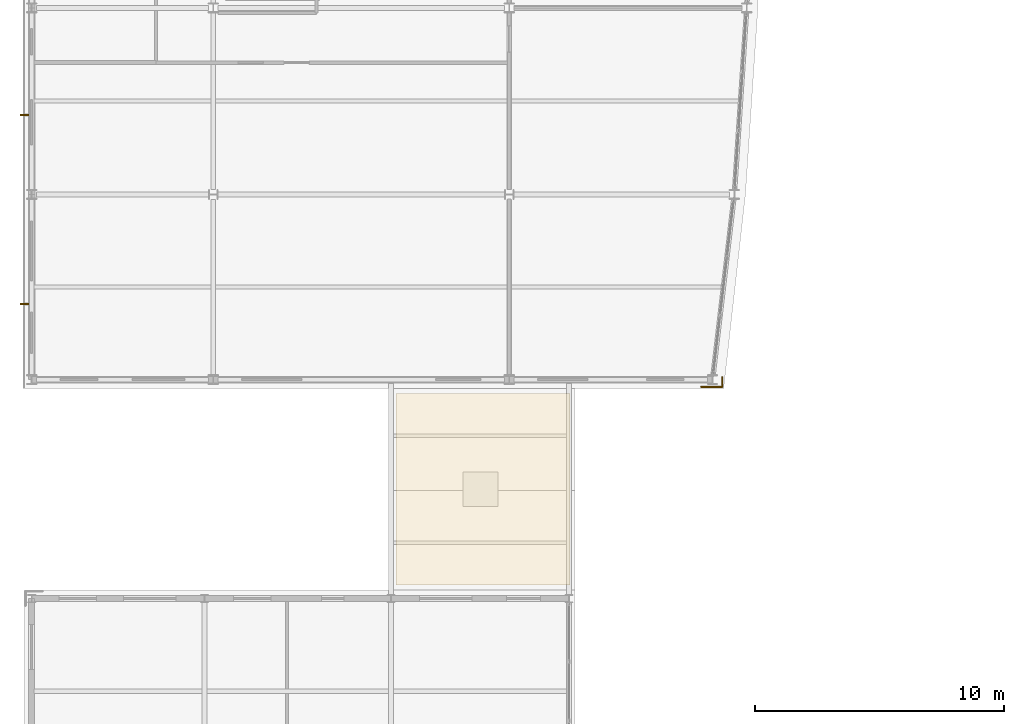
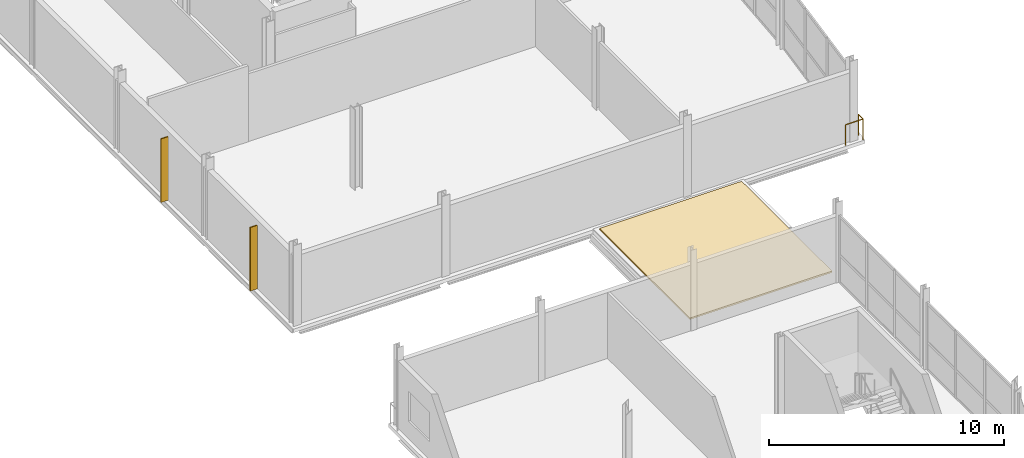
# One storey, part 59 of 65: 2 shading devices, 1 covering, 1 railing.
"""IFC4 building model written with IfcOpenShell, lengths in metres."""

from ifc_helpers import new_model, si_unit, direction, frame, origin, origin_2d, place, context, subcontext, project, spatial, polyline, rectangle, circle, outline, extrude, material, layer, layer_set, type_object, element, save


model = new_model("IFC4")

# Units and contexts
model_context = context("Model", 3, precision=1e-05, world=origin(), true_north=direction((0.0, 1.0)))
body_context = subcontext(model_context, "Body", "Model", "MODEL_VIEW")
ifc_project = project(units=[si_unit("LENGTHUNIT", "METRE"), si_unit("AREAUNIT", "SQUARE_METRE"), si_unit("VOLUMEUNIT", "CUBIC_METRE"), si_unit("PLANEANGLEUNIT", "RADIAN"), si_unit("MASSUNIT", "GRAM", prefix="KILO")], contexts=[model_context])

# Site, building, storey
site_placement = place(None, origin())
site = spatial("IfcSite", under=ifc_project, at=site_placement, CompositionType="ELEMENT")
building_placement = place(site_placement, origin())
building = spatial("IfcBuilding", under=site, at=building_placement, Name="Quillay Park Conservatory", CompositionType="ELEMENT")
storey_placement = place(building_placement, frame((0.0, 0.0, 14.10009765625)))
storey = spatial("IfcBuildingStorey", under=building, at=storey_placement, Name="L03", CompositionType="ELEMENT", Elevation=14.10009765625)

# Covering
ifc_material_1 = material(Name="Insulated TPO & Extensive Vegetated Roof Assembly")
ifc_layer = layer(ifc_material_1, 0.080078125)
ifc_layer_set = layer_set([ifc_layer], Name="INSULATED ROOFING MEMBRANE 80 (Insulated TPO & Extensive Vegetated Roof Assembly)")
covering_type = type_object("IfcCoveringType", Name="INSULATED ROOFING MEMBRANE 80", PredefinedType="ROOFING", material=ifc_layer_set)
covering_placement = place(storey_placement, frame((0.0, 0.0, 0.054931640625)))
element("IfcCovering", 1, at=covering_placement, inside=storey, type_object=covering_type, Name="L03 Roof Assembly Covering 06", PredefinedType="ROOFING", context=body_context, shape_type="SweptSolid", body=[
    extrude(outline(polyline([(15.199951171875, 54.800048828125), (22.199951171875, 54.800048828125), (22.199951171875, 62.5), (15.199951171875, 62.5), (15.199951171875, 54.800048828125)])), origin(), (0.0, 0.0, 1.0), 0.080078125),
])

# Railing
ifc_material_2 = material(Name="Steel S355J2H", Category="steel")
railing_type = type_object("IfcRailingType", Name="TERRACE PERIMETER GUARDRAIL 1100", PredefinedType="GUARDRAIL", material=ifc_material_2)
railing_placement = place(storey_placement, frame((27.465087890625, 62.760009765625, 0.0)))
element("IfcRailing", 2, at=railing_placement, inside=storey, type_object=railing_type, Name="L03 Perimeter Safety Guardrail 025", PredefinedType="GUARDRAIL", context=body_context, shape_type="SweptSolid", body=[
    extrude(circle(Radius=0.02392578125, at=origin_2d()), frame((0.0, 0.0, 1.076171875), z_axis=(1.0, 0.0, 0.0), x_axis=(0.0, 1.0, 0.0)), (0.0, 0.0, 1.0), 0.849853515625),
    extrude(circle(Radius=0.02392578125, at=origin_2d()), frame((0.849853515625, 0.0, 1.076171875), z_axis=(0.0, 1.0, 0.0), x_axis=(-1.0, 0.0, 0.0)), (0.0, 0.0, 1.0), 0.389892578125),
    extrude(circle(Radius=0.02099609375, at=origin_2d()), origin(), (0.0, 0.0, 1.0), 1.052001953125),
    extrude(circle(Radius=0.02099609375, at=origin_2d()), frame((0.849853515625, 0.0, 0.0)), (0.0, 0.0, 1.0), 1.052001953125),
    extrude(circle(Radius=0.02099609375, at=origin_2d()), frame((0.849853515625, 0.389892578125, 0.0)), (0.0, 0.0, 1.0), 1.052001953125),
])

# Shading devices
ifc_material_3 = material(Name="Perforated Copper-Bronze Anodised Aluminium", Category="aluminium")
shading_device_type = type_object("IfcShadingDeviceType", Name="COPPER BRONZE SOLAR FIN", PredefinedType="USERDEFINED", material=ifc_material_3)
for number, where, z_axis, x_axis, name in (
    (3, (0.2548828125, 66.10009765625, 0.0), (0.0, 0.0, 1.0), (1.0, 0.0, 0.0), "L03 Perforated Copper-Bronze Solar Fin 006"),
    (4, (0.2548828125, 73.699951171875, 0.0), (0.0, 0.0, 1.0), (1.0, 0.0, 0.0), "L03 Perforated Copper-Bronze Solar Fin 007"),
):
    element("IfcShadingDevice", number, at=place(storey_placement, frame(where, z_axis=z_axis, x_axis=x_axis)), inside=storey, type_object=shading_device_type, Name=name, ObjectType="SOLAR FIN", PredefinedType="USERDEFINED", context=body_context, shape_type="SweptSolid", body=[
        extrude(rectangle(XDim=0.35009765625, YDim=0.054931640625, at=origin_2d()), origin(), (0.0, 0.0, 1.0), 3.300048828125),
    ])

save(model, "model.ifc")
